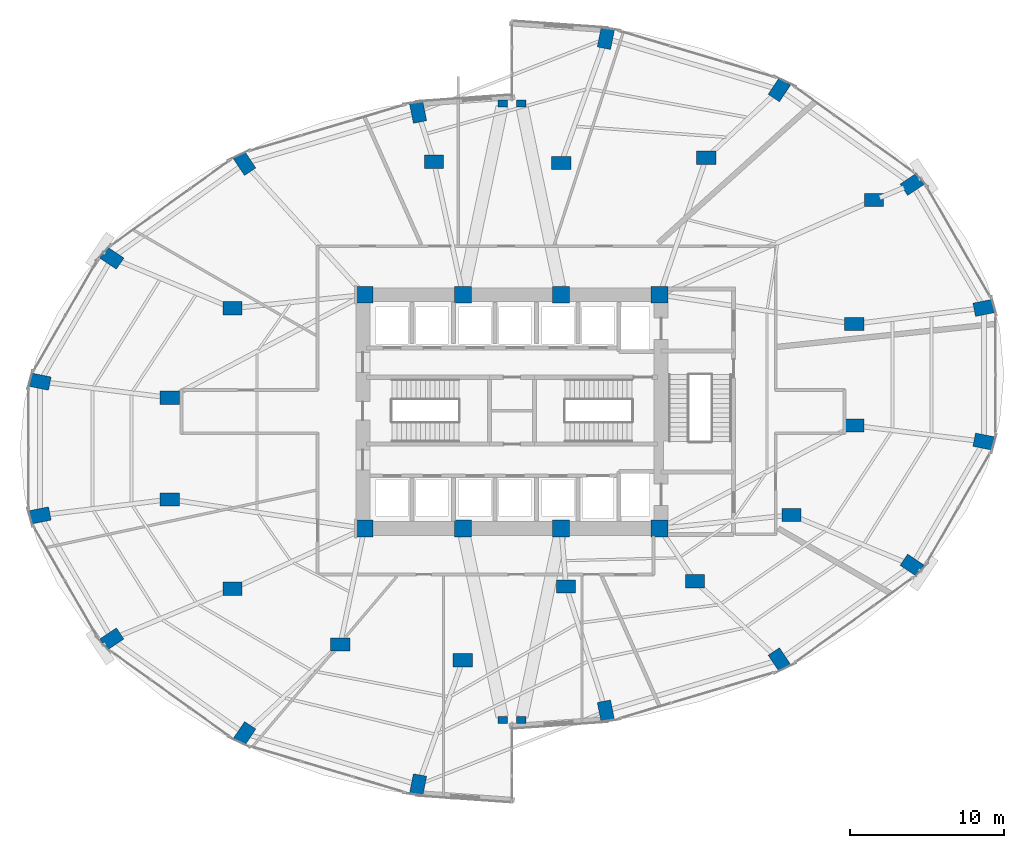
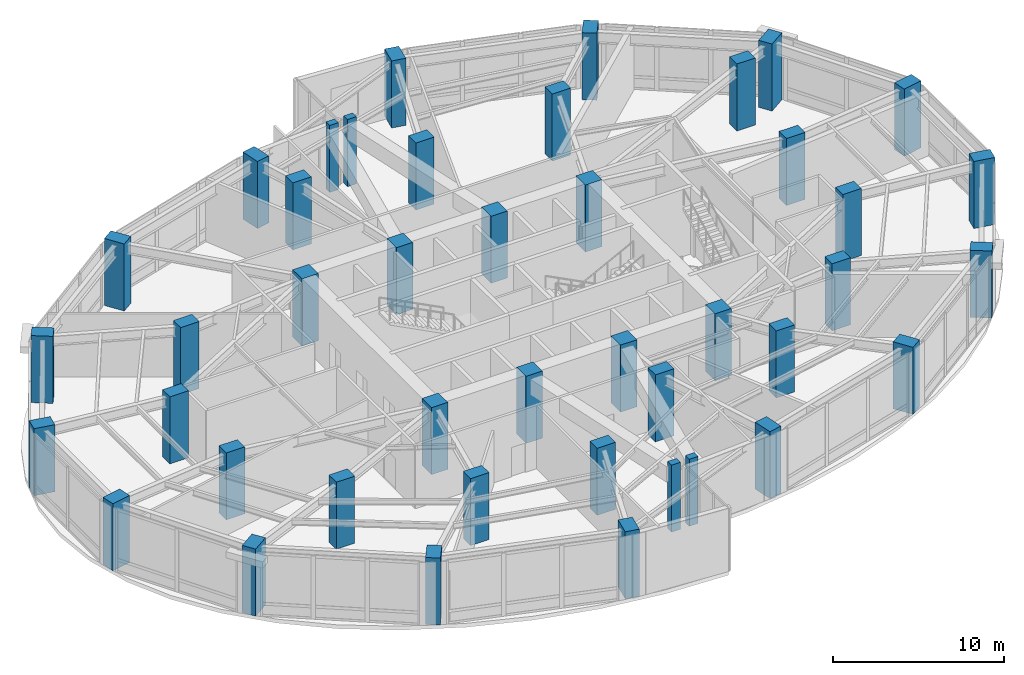
# One storey, part 1 of 24: 43 columns.
"""IFC4 building model written with IfcOpenShell, lengths in metres."""

from ifc_helpers import new_model, si_unit, direction, frame, origin, origin_2d, place, context, subcontext, project, spatial, rectangle, extrude, material, material_profile, profile_set, type_object, element, save


model = new_model("IFC4")

# Units and contexts
model_context = context("Model", 3, precision=1e-05, world=origin(), true_north=direction((0.0, 1.0)))
body_context = subcontext(model_context, "Body", "Model", "MODEL_VIEW")
ifc_project = project(units=[si_unit("LENGTHUNIT", "METRE"), si_unit("AREAUNIT", "SQUARE_METRE"), si_unit("VOLUMEUNIT", "CUBIC_METRE"), si_unit("PLANEANGLEUNIT", "RADIAN"), si_unit("MASSUNIT", "GRAM", prefix="KILO")], contexts=[model_context])

# Site, building, storey
site_placement = place(None, origin())
site = spatial("IfcSite", under=ifc_project, at=site_placement, CompositionType="ELEMENT")
building_placement = place(site_placement, origin())
building = spatial("IfcBuilding", under=site, at=building_placement, Name="Lazwardi Medical Tower", CompositionType="ELEMENT")
storey_placement = place(building_placement, frame((0.0, 0.0, 6.0)))
storey = spatial("IfcBuildingStorey", under=building, at=storey_placement, Name="L01", CompositionType="ELEMENT", Elevation=6.0)

# Columns
ifc_material_1 = material(Name="Concrete C80/95", Category="concrete")
ifc_material_profile_1 = material_profile(ifc_material_1, rectangle(XDim=1.10009765625, YDim=1.10009765625, at=origin_2d()), Name="RC 1100x1100")
ifc_profile_set_1 = profile_set([ifc_material_profile_1], Name="Concrete C80/95")
column_type_1 = type_object("IfcColumnType", Name="COL-CC-L", PredefinedType="COLUMN", material=ifc_profile_set_1)
for number, where, z_axis, x_axis, name in (
    (1, (26.39990234375, 20.39990234375, 0.0), (0.0, 0.0, 1.0), (1.0, 0.0, 0.0), "Core column CC-01 CC1 L01"),
    (2, (32.800048828125, 20.39990234375, 0.0), (0.0, 0.0, 1.0), (1.0, 0.0, 0.0), "Core column CC-01 CC2 L01"),
    (3, (39.199951171875, 20.39990234375, 0.0), (0.0, 0.0, 1.0), (1.0, 0.0, 0.0), "Core column CC-01 CC3 L01"),
    (4, (45.60009765625, 20.39990234375, 0.0), (0.0, 0.0, 1.0), (1.0, 0.0, 0.0), "Core column CC-01 CC4 L01"),
    (5, (45.60009765625, 35.60009765625, 0.0), (0.0, 0.0, 1.0), (1.0, 0.0, 0.0), "Core column CC-01 CC5 L01"),
    (6, (39.199951171875, 35.60009765625, 0.0), (0.0, 0.0, 1.0), (1.0, 0.0, 0.0), "Core column CC-01 CC6 L01"),
    (7, (32.800048828125, 35.60009765625, 0.0), (0.0, 0.0, 1.0), (1.0, 0.0, 0.0), "Core column CC-01 CC7 L01"),
    (8, (26.39990234375, 35.60009765625, 0.0), (0.0, 0.0, 1.0), (1.0, 0.0, 0.0), "Core column CC-01 CC8 L01"),
):
    element("IfcColumn", number, at=place(storey_placement, frame(where, z_axis=z_axis, x_axis=x_axis)), inside=storey, type_object=column_type_1, Name=name, PredefinedType="COLUMN", context=body_context, shape_type="SweptSolid", body=[
        extrude(rectangle(XDim=1.10009765625, YDim=1.10009765625, at=origin_2d()), origin(), (0.0, 0.0, 1.0), 4.800048828125),
    ])
ifc_material_profile_2 = material_profile(ifc_material_1, rectangle(XDim=1.300048828125, YDim=0.8798828125, at=origin_2d()), Name="CFT-RECT 1300x880")
ifc_profile_set_2 = profile_set([ifc_material_profile_2], Name="Concrete C80/95")
column_type_2 = type_object("IfcColumnType", Name="COL-MC-P1", PredefinedType="COLUMN", material=ifc_profile_set_2)
for number, where, z_axis, x_axis, name in (
    (9, (42.106201171875, 8.528564453125, 0.0), (0.0, 0.0, 1.0), (0.195090322016, -0.980785280403, 0.0), "Mega column MC-02 M01 L01"),
    (10, (53.389404296875, 11.858154296875, 0.0), (0.0, 0.0, 1.0), (0.55557023302, -0.831469612303, 0.0), "Mega column MC-02 M02 L01"),
    (11, (62.02490234375, 18.0107421875, 0.0), (0.0, 0.0, 1.0), (0.831469612303, -0.55557023302, 0.0), "Mega column MC-02 M03 L01"),
    (12, (66.698486328125, 26.049560546875, 0.0), (0.0, 0.0, 1.0), (0.980785280403, -0.195090322016, 0.0), "Mega column MC-02 M04 L01"),
    (13, (66.698486328125, 34.75048828125, 0.0), (0.0, 0.0, 1.0), (0.980785280403, 0.195090322016, 0.0), "Mega column MC-02 M05 L01"),
    (14, (62.02490234375, 42.789306640625, 0.0), (0.0, 0.0, 1.0), (0.831469612303, 0.55557023302, 0.0), "Mega column MC-02 M06 L01"),
    (15, (53.389404296875, 48.94189453125, 0.0), (0.0, 0.0, 1.0), (0.55557023302, 0.831469612303, 0.0), "Mega column MC-02 M07 L01"),
    (16, (42.106201171875, 52.271484375, 0.0), (0.0, 0.0, 1.0), (0.195090322016, 0.980785280403, 0.0), "Mega column MC-02 M08 L01"),
    (17, (29.893798828125, 47.471435546875, 0.0), (0.0, 0.0, 1.0), (-0.195090322016, 0.980785280403, 0.0), "Mega column MC-02 M09 L01"),
    (18, (18.610595703125, 44.141845703125, 0.0), (0.0, 0.0, 1.0), (-0.55557023302, 0.831469612303, 0.0), "Mega column MC-02 M10 L01"),
    (19, (9.97509765625, 37.9892578125, 0.0), (0.0, 0.0, 1.0), (-0.831469612303, 0.55557023302, 0.0), "Mega column MC-02 M11 L01"),
    (20, (5.301513671875, 29.950439453125, 0.0), (0.0, 0.0, 1.0), (-0.980785280403, 0.195090322016, 0.0), "Mega column MC-02 M12 L01"),
    (21, (5.301513671875, 21.24951171875, 0.0), (0.0, 0.0, 1.0), (-0.980785280403, -0.195090322016, 0.0), "Mega column MC-02 M13 L01"),
    (22, (9.97509765625, 13.210693359375, 0.0), (0.0, 0.0, 1.0), (-0.831469612303, -0.55557023302, 0.0), "Mega column MC-02 M14 L01"),
    (23, (18.610595703125, 7.05810546875, 0.0), (0.0, 0.0, 1.0), (-0.55557023302, -0.831469612303, 0.0), "Mega column MC-02 M15 L01"),
    (24, (29.893798828125, 3.728515625, 0.0), (0.0, 0.0, 1.0), (-0.195090322016, -0.980785280403, 0.0), "Mega column MC-02 M16 L01"),
):
    element("IfcColumn", number, at=place(storey_placement, frame(where, z_axis=z_axis, x_axis=x_axis)), inside=storey, type_object=column_type_2, Name=name, PredefinedType="COLUMN", context=body_context, shape_type="SweptSolid", body=[
        extrude(rectangle(XDim=1.300048828125, YDim=0.8798828125, at=origin_2d()), origin(), (0.0, 0.0, 1.0), 4.800048828125),
    ])
ifc_material_2 = material(Name="Concrete C70/85", Category="concrete")
ifc_material_profile_3 = material_profile(ifc_material_2, rectangle(XDim=1.25, YDim=0.860107421875, at=origin_2d()), Name="CFT-RECT 1250x860")
ifc_profile_set_3 = profile_set([ifc_material_profile_3], Name="Concrete C70/85")
column_type_3 = type_object("IfcColumnType", Name="COL-MC-Z1", PredefinedType="COLUMN", material=ifc_profile_set_3)
for number, where, z_axis, x_axis, name in (
    (25, (39.52001953125, 16.625, 0.0), (0.0, 0.0, 1.0), (1.0, 0.0, 0.0), "Mega column MC-03 PM01 L01"),
    (26, (47.902099609375, 16.970947265625, 0.0), (0.0, 0.0, 1.0), (1.0, 0.0, 0.0), "Mega column MC-03 PM02 L01"),
    (27, (54.177001953125, 21.27587890625, 0.0), (0.0, 0.0, 1.0), (1.0, 0.0, 0.0), "Mega column MC-03 PM03 L01"),
    (28, (58.262939453125, 27.093994140625, 0.0), (0.0, 0.0, 1.0), (1.0, 0.0, 0.0), "Mega column MC-03 PM04 L01"),
    (29, (58.262939453125, 33.7060546875, 0.0), (0.0, 0.0, 1.0), (1.0, 0.0, 0.0), "Mega column MC-03 PM05 L01"),
    (30, (59.550048828125, 41.760009765625, 0.0), (0.0, 0.0, 1.0), (1.0, 0.0, 0.0), "Mega column MC-03 PM06 L01"),
    (31, (48.634033203125, 44.510009765625, 0.0), (0.0, 0.0, 1.0), (1.0, 0.0, 0.0), "Mega column MC-03 PM07 L01"),
    (32, (39.199951171875, 44.175048828125, 0.0), (0.0, 0.0, 1.0), (1.0, 0.0, 0.0), "Mega column MC-03 PM08 L01"),
    (33, (30.919921875, 44.25, 0.0), (0.0, 0.0, 1.0), (1.0, 0.0, 0.0), "Mega column MC-03 PM09 L01"),
    (34, (17.822998046875, 34.72412109375, 0.0), (0.0, 0.0, 1.0), (1.0, 0.0, 0.0), "Mega column MC-03 PM11 L01"),
    (35, (13.737060546875, 28.906005859375, 0.0), (0.0, 0.0, 1.0), (1.0, 0.0, 0.0), "Mega column MC-03 PM12 L01"),
    (36, (13.737060546875, 22.2939453125, 0.0), (0.0, 0.0, 1.0), (1.0, 0.0, 0.0), "Mega column MC-03 PM13 L01"),
    (37, (17.822998046875, 16.47607421875, 0.0), (0.0, 0.0, 1.0), (1.0, 0.0, 0.0), "Mega column MC-03 PM14 L01"),
    (38, (24.8291015625, 12.85302734375, 0.0), (0.0, 0.0, 1.0), (1.0, 0.0, 0.0), "Mega column MC-03 PM15 L01"),
    (39, (32.800048828125, 11.824951171875, 0.0), (0.0, 0.0, 1.0), (1.0, 0.0, 0.0), "Mega column MC-03 PM16 L01"),
):
    element("IfcColumn", number, at=place(storey_placement, frame(where, z_axis=z_axis, x_axis=x_axis)), inside=storey, type_object=column_type_3, Name=name, PredefinedType="COLUMN", context=body_context, shape_type="SweptSolid", body=[
        extrude(rectangle(XDim=1.25, YDim=0.860107421875, at=origin_2d()), origin(), (0.0, 0.0, 1.0), 4.800048828125),
    ])
ifc_material_3 = material(Name="Concrete C60/75", Category="concrete")
ifc_material_profile_4 = material_profile(ifc_material_3, rectangle(XDim=0.60009765625, YDim=0.449951171875, at=origin_2d()), Name="RC 600x450")
ifc_profile_set_4 = profile_set([ifc_material_profile_4], Name="Concrete C60/75")
column_type_4 = type_object("IfcColumnType", Name="COL-PL-IW", PredefinedType="PILASTER", material=ifc_profile_set_4)
for number, where, z_axis, x_axis, name in (
    (40, (35.39990234375, 48.050048828125, 0.0), (0.0, 0.0, 1.0), (1.0, 0.0, 0.0), "Iwan pilaster column PL-C1 PL1 L01"),
    (41, (36.60009765625, 48.050048828125, 0.0), (0.0, 0.0, 1.0), (1.0, 0.0, 0.0), "Iwan pilaster column PL-C1 PL2 L01"),
    (42, (35.39990234375, 7.949951171875, 0.0), (0.0, 0.0, 1.0), (1.0, 0.0, 0.0), "Iwan pilaster column PL-C1 PL3 L01"),
    (43, (36.60009765625, 7.949951171875, 0.0), (0.0, 0.0, 1.0), (1.0, 0.0, 0.0), "Iwan pilaster column PL-C1 PL4 L01"),
):
    element("IfcColumn", number, at=place(storey_placement, frame(where, z_axis=z_axis, x_axis=x_axis)), inside=storey, type_object=column_type_4, Name=name, PredefinedType="PILASTER", context=body_context, shape_type="SweptSolid", body=[
        extrude(rectangle(XDim=0.60009765625, YDim=0.449951171875, at=origin_2d()), origin(), (0.0, 0.0, 1.0), 4.800048828125),
    ])

save(model, "model.ifc")
